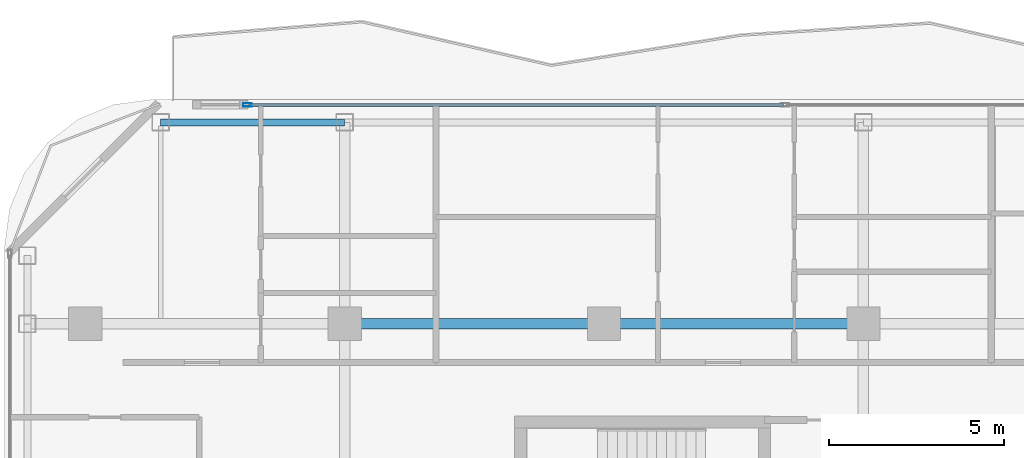
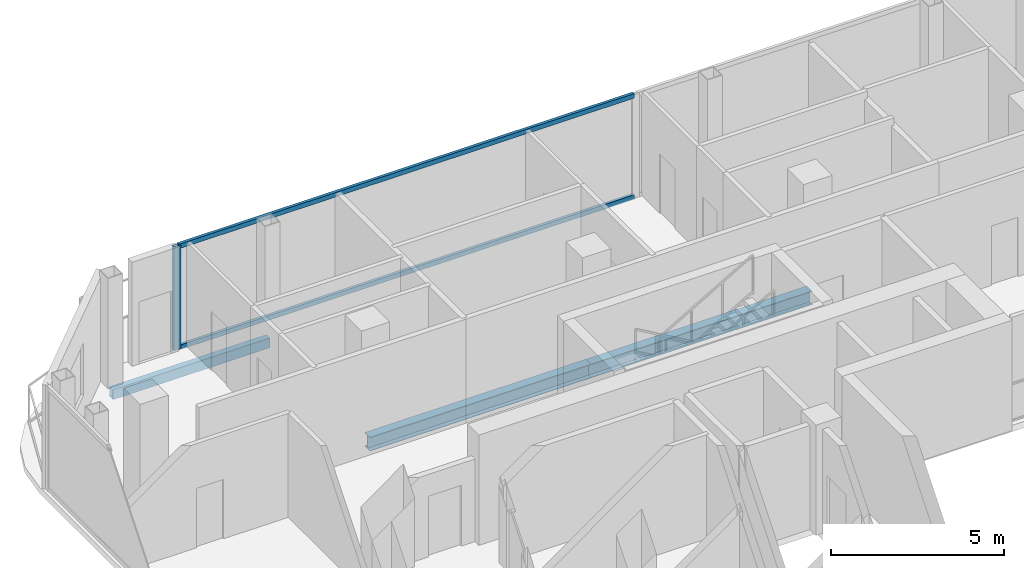
# One storey, part 11 of 23: 3 beams, 3 members, 1 element without a shape of its own.
"""IFC4 building model written with IfcOpenShell, lengths in metres."""

from ifc_helpers import new_model, si_unit, direction, frame, origin, origin_2d, place, context, subcontext, project, spatial, hollow_rectangle, i_section, extrude, material, layer, layer_set, material_profile, profile_set, type_object, element, aggregate, save


model = new_model("IFC4")

# Units and contexts
model_context = context("Model", 3, precision=1e-05, world=origin(), true_north=direction((0.0, 1.0)))
body_context = subcontext(model_context, "Body", "Model", "MODEL_VIEW")
ifc_project = project(units=[si_unit("LENGTHUNIT", "METRE"), si_unit("AREAUNIT", "SQUARE_METRE"), si_unit("VOLUMEUNIT", "CUBIC_METRE"), si_unit("PLANEANGLEUNIT", "RADIAN"), si_unit("MASSUNIT", "GRAM", prefix="KILO")], contexts=[model_context])

# Site, building, storey
site_placement = place(None, origin())
site = spatial("IfcSite", under=ifc_project, at=site_placement, CompositionType="ELEMENT")
building_placement = place(site_placement, origin())
building = spatial("IfcBuilding", under=site, at=building_placement, Name="Khorvyn Point Tower", CompositionType="ELEMENT")
storey_placement = place(building_placement, frame((0.0, 0.0, 258.60009765625)))
storey = spatial("IfcBuildingStorey", under=building, at=storey_placement, Name="L63", CompositionType="ELEMENT", Elevation=258.60009765625)

# Curtain wall, members
ifc_material_1 = material(Name="Anodised aluminium 6063-T6 and laminated Low-E glass", Category="aluminium")
ifc_layer = layer(ifc_material_1, 0.18994140625)
ifc_layer_set = layer_set([ifc_layer], Name="Stick-Built High-Wind Curtain Wall CW-SYS-04")
curtain_wall_type = type_object("IfcCurtainWallType", Name="Stick-Built High-Wind Curtain Wall CW-SYS-04", PredefinedType="NOTDEFINED", material=ifc_layer_set)
curtain_wall_placement = place(storey_placement, origin())
curtain_wall = element("IfcCurtainWall", 1, at=curtain_wall_placement, inside=storey, type_object=curtain_wall_type, Name="Curtain Wall", PredefinedType="NOTDEFINED")
ifc_material_2 = material(Name="Anodised aluminium 6063-T6", Category="aluminium")
ifc_material_profile_1 = material_profile(ifc_material_2, hollow_rectangle(XDim=0.10009765625, YDim=0.239990234375, WallThickness=0.0048828125, at=origin_2d()))
ifc_profile_set_1 = profile_set([ifc_material_profile_1], Name="Anodised aluminium 6063-T6 ALU-MUL-100x240")
member_type_1 = type_object("IfcMemberType", Name="Anodised Aluminium 6063-T6 Mullion ALU-MUL-100x240", PredefinedType="MULLION", material=ifc_profile_set_1)
member_1_placement = place(storey_placement, frame((-10.174072265625, 21.050048828125, 0.0), z_axis=(0.0, 0.0, 1.0), x_axis=(0.0, 1.0, 0.0)))
member_1 = element("IfcMember", 2, at=member_1_placement, type_object=member_type_1, Name="Transom", PredefinedType="MULLION", context=body_context, shape_type="SweptSolid", body=[
    extrude(hollow_rectangle(XDim=0.10009765625, YDim=0.239990234375, WallThickness=0.0048828125, at=origin_2d()), origin(), (0.0, 0.0, 1.0), 3.679931640625),
])
ifc_material_profile_2 = material_profile(ifc_material_2, hollow_rectangle(XDim=0.10009765625, YDim=0.159912109375, WallThickness=0.00439453125, at=origin_2d()))
ifc_profile_set_2 = profile_set([ifc_material_profile_2], Name="Anodised aluminium 6063-T6 ALU-TRN-100x160")
member_type_2 = type_object("IfcMemberType", Name="Anodised Aluminium 6063-T6 Transom ALU-TRN-100x160", PredefinedType="USERDEFINED", material=ifc_profile_set_2)
member_2_placement = place(storey_placement, frame((-10.1240234375, 21.050048828125, 0.0498046875), z_axis=(1.0, 0.0, 0.0), x_axis=(0.0, 1.0, 0.0)))
member_2 = element("IfcMember", 3, at=member_2_placement, type_object=member_type_2, Name="Transom", ObjectType="TRANSOM", PredefinedType="USERDEFINED", context=body_context, shape_type="SweptSolid", body=[
    extrude(hollow_rectangle(XDim=0.10009765625, YDim=0.159912109375, WallThickness=0.00439453125, at=origin_2d()), origin(), (0.0, 0.0, 1.0), 15.237060546875),
])
member_3_placement = place(storey_placement, frame((-10.1240234375, 21.050048828125, 3.6298828125), z_axis=(1.0, 0.0, 0.0), x_axis=(0.0, 1.0, 0.0)))
member_3 = element("IfcMember", 4, at=member_3_placement, type_object=member_type_2, Name="Transom", ObjectType="TRANSOM", PredefinedType="USERDEFINED", context=body_context, shape_type="SweptSolid", body=[
    extrude(hollow_rectangle(XDim=0.10009765625, YDim=0.159912109375, WallThickness=0.00439453125, at=origin_2d()), origin(), (0.0, 0.0, 1.0), 15.237060546875),
])
aggregate(curtain_wall, [member_1, member_2, member_3])

# Beams
ifc_material_3 = material(Name="Steel S355", Category="steel")
ifc_material_profile_3 = material_profile(ifc_material_3, i_section(OverallWidth=0.300048828125, OverallDepth=0.488037109375, WebThickness=0.010986328125, FlangeThickness=0.01806640625, at=origin_2d()))
ifc_profile_set_3 = profile_set([ifc_material_profile_3], Name="Steel S355 H488x300x11x18")
beam_type_1 = type_object("IfcBeamType", Name="Steel S355 Spandrel H488x300x11x18", PredefinedType="SPANDREL", material=ifc_profile_set_3)
for number, where, z_axis, x_axis, name in (
    (5, (-7.39990234375, 14.800048828125, -0.464111328125), (1.0, 0.0, 0.0), (0.0, 1.0, 0.0), "Beam"),
    (6, (0.0, 14.800048828125, -0.464111328125), (1.0, 0.0, 0.0), (0.0, 1.0, 0.0), "Beam"),
):
    element("IfcBeam", number, at=place(storey_placement, frame(where, z_axis=z_axis, x_axis=x_axis)), inside=storey, type_object=beam_type_1, Name=name, PredefinedType="SPANDREL", context=body_context, shape_type="SweptSolid", body=[
        extrude(i_section(OverallWidth=0.300048828125, OverallDepth=0.488037109375, WebThickness=0.010986328125, FlangeThickness=0.01806640625, at=origin_2d()), origin(), (0.0, 0.0, 1.0), 7.39990234375),
    ])
ifc_material_profile_4 = material_profile(ifc_material_3, hollow_rectangle(XDim=0.199951171875, YDim=0.35009765625, WallThickness=0.013916015625, at=origin_2d()))
ifc_profile_set_4 = profile_set([ifc_material_profile_4], Name="Steel S355 RHS350x200x14")
beam_type_2 = type_object("IfcBeamType", Name="Steel S355 Spandrel RHS350x200x14", PredefinedType="SPANDREL", material=ifc_profile_set_4)
beam_placement = place(storey_placement, frame((-12.64990234375, 20.550048828125, -0.39501953125), z_axis=(1.0, 0.0, 0.0), x_axis=(0.0, 1.0, 0.0)))
element("IfcBeam", 7, at=beam_placement, inside=storey, type_object=beam_type_2, Name="Beam", PredefinedType="SPANDREL", context=body_context, shape_type="SweptSolid", body=[
    extrude(hollow_rectangle(XDim=0.199951171875, YDim=0.35009765625, WallThickness=0.013916015625, at=origin_2d()), origin(), (0.0, 0.0, 1.0), 5.25),
])

save(model, "model.ifc")
